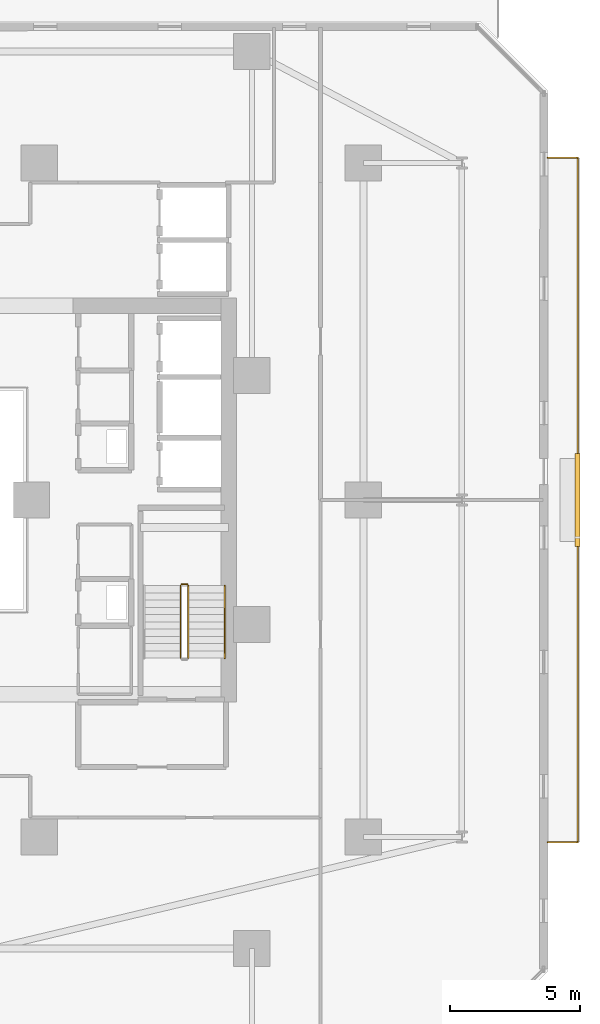
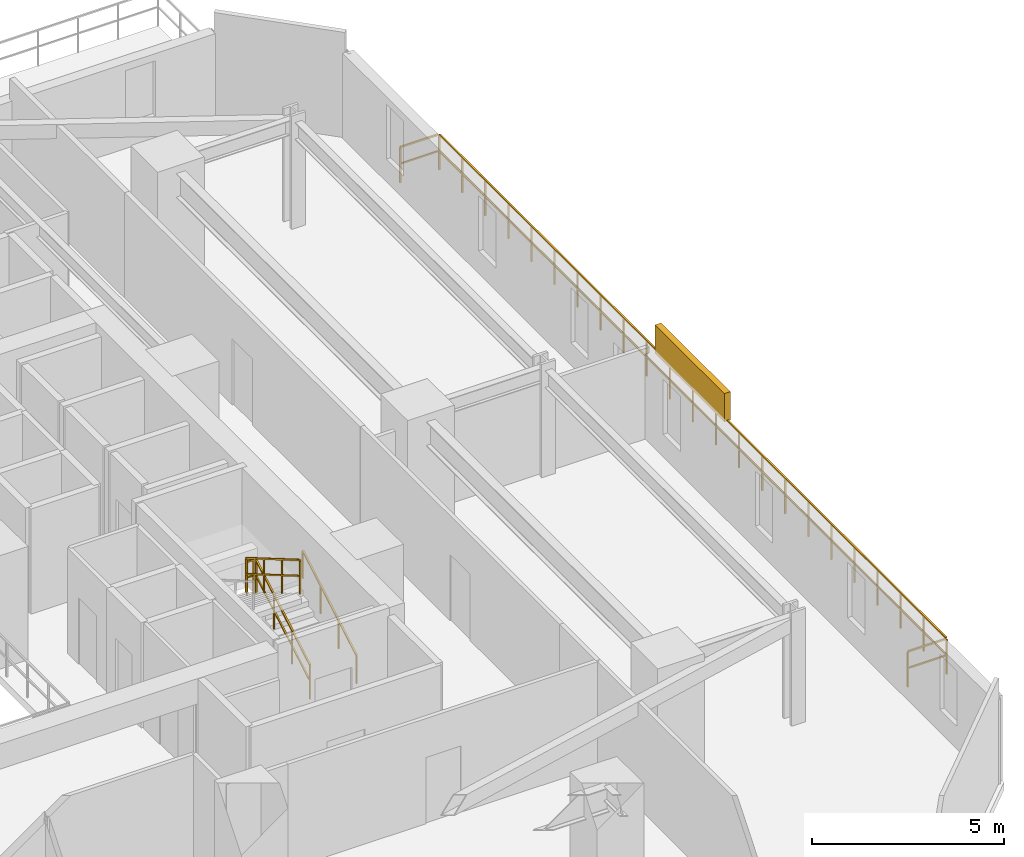
# One storey, part 33 of 34: 5 railings, 1 shading device.
"""IFC4 building model written with IfcOpenShell, lengths in metres."""

from ifc_helpers import new_model, si_unit, direction, frame, origin, origin_2d, place, context, subcontext, project, spatial, rectangle, extrude, material, type_object, element, save


model = new_model("IFC4")

# Units and contexts
model_context = context("Model", 3, precision=1e-05, world=origin(), true_north=direction((0.0, 1.0)))
body_context = subcontext(model_context, "Body", "Model", "MODEL_VIEW")
ifc_project = project(units=[si_unit("LENGTHUNIT", "METRE"), si_unit("AREAUNIT", "SQUARE_METRE"), si_unit("VOLUMEUNIT", "CUBIC_METRE"), si_unit("PLANEANGLEUNIT", "RADIAN"), si_unit("MASSUNIT", "GRAM", prefix="KILO")], contexts=[model_context])

# Site, building, storey
site_placement = place(None, origin())
site = spatial("IfcSite", under=ifc_project, at=site_placement, CompositionType="ELEMENT")
building_placement = place(site_placement, origin())
building = spatial("IfcBuilding", under=site, at=building_placement, Name="Thornwick Lancets Civic Towers", CompositionType="ELEMENT")
storey_placement = place(building_placement, frame((0.0, 0.0, 27.89990234375)))
storey = spatial("IfcBuildingStorey", under=building, at=storey_placement, Name="L06", CompositionType="ELEMENT", Elevation=27.89990234375)

# Railings
ifc_material_1 = material(Name="Brushed stainless steel S355", Category="steel")
railing_type_1 = type_object("IfcRailingType", Name="RAIL_HANDRAIL", PredefinedType="HANDRAIL", material=ifc_material_1)
railing_1_placement = place(storey_placement, frame((100.449951171875, 20.89990234375, 0.163818359375)))
element("IfcRailing", 1, at=railing_1_placement, inside=storey, type_object=railing_type_1, Name="L06 ST-B1 stair handrail 1", PredefinedType="HANDRAIL", context=body_context, shape_type="SweptSolid", body=[
    extrude(rectangle(XDim=0.048095703125, YDim=0.048095703125, at=origin_2d()), frame((0.0, 0.0, 0.8857421875), z_axis=(0.0, 0.863393664356, 0.504530851732), x_axis=(-1.0, 0.0, 0.0)), (0.0, 0.0, 1.0), 3.2431640625),
    extrude(rectangle(XDim=0.0419921875, YDim=0.0419921875, at=origin_2d()), origin(), (0.0, 0.0, 1.0), 0.855712890625),
    extrude(rectangle(XDim=0.0419921875, YDim=0.0419921875, at=origin_2d()), frame((0.0, 0.933349609375, 0.54541015625)), (0.0, 0.0, 1.0), 0.855712890625),
    extrude(rectangle(XDim=0.0419921875, YDim=0.0419921875, at=origin_2d()), frame((0.0, 1.86669921875, 1.0908203125)), (0.0, 0.0, 1.0), 0.855712890625),
    extrude(rectangle(XDim=0.0419921875, YDim=0.0419921875, at=origin_2d()), frame((0.0, 2.800048828125, 1.63623046875)), (0.0, 0.0, 1.0), 0.855712890625),
])
ifc_material_2 = material(Name="Steel S355JR", Category="steel")
railing_type_2 = type_object("IfcRailingType", Name="RAIL_STAIR_GUARD", PredefinedType="GUARDRAIL", material=ifc_material_2)
railing_2_placement = place(storey_placement, frame((99.050048828125, 20.89990234375, 0.163818359375)))
element("IfcRailing", 2, at=railing_2_placement, inside=storey, type_object=railing_type_2, Name="L06 ST-B1 stair guard 1", PredefinedType="GUARDRAIL", context=body_context, shape_type="SweptSolid", body=[
    extrude(rectangle(XDim=0.048095703125, YDim=0.048095703125, at=origin_2d()), frame((0.0, 0.0, 1.076171875), z_axis=(0.0, 0.863393664356, 0.504530851732), x_axis=(-1.0, 0.0, 0.0)), (0.0, 0.0, 1.0), 3.2431640625),
    extrude(rectangle(XDim=0.0419921875, YDim=0.0419921875, at=origin_2d()), frame((0.0, 0.032470703125, 0.591064453125), z_axis=(0.0, 0.863393664356, 0.504530851732), x_axis=(-1.0, 0.0, 0.0)), (0.0, 0.0, 1.0), 1.006103515625),
    extrude(rectangle(XDim=0.0419921875, YDim=0.0419921875, at=origin_2d()), frame((0.0, 0.9658203125, 1.136474609375), z_axis=(0.0, 0.863393664356, 0.504530851732), x_axis=(-1.0, 0.0, 0.0)), (0.0, 0.0, 1.0), 1.006103515625),
    extrude(rectangle(XDim=0.0419921875, YDim=0.0419921875, at=origin_2d()), frame((0.0, 1.899169921875, 1.681884765625), z_axis=(0.0, 0.863393664356, 0.504530851732), x_axis=(-1.0, 0.0, 0.0)), (0.0, 0.0, 1.0), 1.006103515625),
    extrude(rectangle(XDim=0.0419921875, YDim=0.0419921875, at=origin_2d()), origin(), (0.0, 0.0, 1.0), 1.0458984375),
    extrude(rectangle(XDim=0.0419921875, YDim=0.0419921875, at=origin_2d()), frame((0.0, 0.933349609375, 0.54541015625)), (0.0, 0.0, 1.0), 1.0458984375),
    extrude(rectangle(XDim=0.0419921875, YDim=0.0419921875, at=origin_2d()), frame((0.0, 1.86669921875, 1.0908203125)), (0.0, 0.0, 1.0), 1.0458984375),
    extrude(rectangle(XDim=0.0419921875, YDim=0.0419921875, at=origin_2d()), frame((0.0, 2.800048828125, 1.63623046875)), (0.0, 0.0, 1.0), 1.0458984375),
])
railing_3_placement = place(storey_placement, frame((99.0, 23.75, 1.800048828125)))
element("IfcRailing", 3, at=railing_3_placement, inside=storey, type_object=railing_type_2, Name="L06 ST-B1 stair guard 2", PredefinedType="GUARDRAIL", context=body_context, shape_type="SweptSolid", body=[
    extrude(rectangle(XDim=0.048095703125, YDim=0.048095703125, at=origin_2d()), frame((0.0, 0.0, 1.076171875), z_axis=(-1.0, 0.0, 0.0), x_axis=(0.0, -1.0, 0.0)), (0.0, 0.0, 1.0), 0.199951171875),
    extrude(rectangle(XDim=0.0419921875, YDim=0.0419921875, at=origin_2d()), frame((-0.03759765625, 0.0, 0.572021484375), z_axis=(-1.0, 0.0, 0.0), x_axis=(0.0, -1.0, 0.0)), (0.0, 0.0, 1.0), 0.125),
    extrude(rectangle(XDim=0.0419921875, YDim=0.0419921875, at=origin_2d()), origin(), (0.0, 0.0, 1.0), 1.0458984375),
    extrude(rectangle(XDim=0.0419921875, YDim=0.0419921875, at=origin_2d()), frame((-0.199951171875, 0.0, 0.0)), (0.0, 0.0, 1.0), 1.0458984375),
])
railing_4_placement = place(storey_placement, frame((98.75, 23.699951171875, 1.963623046875)))
element("IfcRailing", 4, at=railing_4_placement, inside=storey, type_object=railing_type_2, Name="L06 ST-B1 stair guard 3", PredefinedType="GUARDRAIL", context=body_context, shape_type="SweptSolid", body=[
    extrude(rectangle(XDim=0.048095703125, YDim=0.048095703125, at=origin_2d()), frame((0.0, 0.0, 1.076171875), z_axis=(0.0, -0.863360870873, 0.504586966384), x_axis=(1.0, 0.0, 0.0)), (0.0, 0.0, 1.0), 3.2431640625),
    extrude(rectangle(XDim=0.0419921875, YDim=0.0419921875, at=origin_2d()), frame((0.0, -0.032470703125, 0.591064453125), z_axis=(0.0, -0.863360870873, 0.504586966384), x_axis=(1.0, 0.0, 0.0)), (0.0, 0.0, 1.0), 1.006103515625),
    extrude(rectangle(XDim=0.0419921875, YDim=0.0419921875, at=origin_2d()), frame((0.0, -0.9658203125, 1.136474609375), z_axis=(0.0, -0.863360870873, 0.504586966384), x_axis=(1.0, 0.0, 0.0)), (0.0, 0.0, 1.0), 1.006103515625),
    extrude(rectangle(XDim=0.0419921875, YDim=0.0419921875, at=origin_2d()), frame((0.0, -1.899169921875, 1.681884765625), z_axis=(0.0, -0.863360870873, 0.504586966384), x_axis=(1.0, 0.0, 0.0)), (0.0, 0.0, 1.0), 1.006103515625),
    extrude(rectangle(XDim=0.0419921875, YDim=0.0419921875, at=origin_2d()), origin(), (0.0, 0.0, 1.0), 1.0458984375),
    extrude(rectangle(XDim=0.0419921875, YDim=0.0419921875, at=origin_2d()), frame((0.0, -0.933349609375, 0.54541015625)), (0.0, 0.0, 1.0), 1.0458984375),
    extrude(rectangle(XDim=0.0419921875, YDim=0.0419921875, at=origin_2d()), frame((0.0, -1.86669921875, 1.091064453125)), (0.0, 0.0, 1.0), 1.0458984375),
    extrude(rectangle(XDim=0.0419921875, YDim=0.0419921875, at=origin_2d()), frame((0.0, -2.800048828125, 1.636474609375)), (0.0, 0.0, 1.0), 1.0458984375),
])
ifc_material_3 = material(Name="Terracotta-capped laminated glass balustrade S355", Category="masonry")
railing_type_3 = type_object("IfcRailingType", Name="RAIL_TERR_GUARD", PredefinedType="GUARDRAIL", material=ifc_material_3)
railing_5_placement = place(storey_placement, frame((112.89990234375, 13.800048828125, 0.0)))
element("IfcRailing", 5, at=railing_5_placement, inside=storey, type_object=railing_type_3, Name="L06 Tower B Balcony Guard E", PredefinedType="GUARDRAIL", context=body_context, shape_type="SweptSolid", body=[
    extrude(rectangle(XDim=0.048095703125, YDim=0.048095703125, at=origin_2d()), frame((0.0, 0.0, 1.1259765625), z_axis=(1.0, 0.0, 0.0), x_axis=(0.0, 1.0, 0.0)), (0.0, 0.0, 1.0), 1.138916015625),
    extrude(rectangle(XDim=0.0419921875, YDim=0.0419921875, at=origin_2d()), frame((0.03759765625, 0.0, 0.597900390625), z_axis=(1.0, 0.0, 0.0), x_axis=(0.0, 1.0, 0.0)), (0.0, 0.0, 1.0), 1.09521484375),
    extrude(rectangle(XDim=0.048095703125, YDim=0.048095703125, at=origin_2d()), frame((1.170166015625, 0.03125, 1.1259765625), z_axis=(0.0, 1.0, 0.0), x_axis=(-1.0, 0.0, 0.0)), (0.0, 0.0, 1.0), 26.33740234375),
    extrude(rectangle(XDim=0.0419921875, YDim=0.0419921875, at=origin_2d()), frame((1.170166015625, 0.03759765625, 0.597900390625), z_axis=(0.0, 1.0, 0.0), x_axis=(-1.0, 0.0, 0.0)), (0.0, 0.0, 1.0), 1.125),
    extrude(rectangle(XDim=0.0419921875, YDim=0.0419921875, at=origin_2d()), frame((1.170166015625, 1.237548828125, 0.597900390625), z_axis=(0.0, 1.0, 0.0), x_axis=(-1.0, 0.0, 0.0)), (0.0, 0.0, 1.0), 1.125),
    extrude(rectangle(XDim=0.0419921875, YDim=0.0419921875, at=origin_2d()), frame((1.170166015625, 2.4375, 0.597900390625), z_axis=(0.0, 1.0, 0.0), x_axis=(-1.0, 0.0, 0.0)), (0.0, 0.0, 1.0), 1.125),
    extrude(rectangle(XDim=0.0419921875, YDim=0.0419921875, at=origin_2d()), frame((1.170166015625, 3.637451171875, 0.597900390625), z_axis=(0.0, 1.0, 0.0), x_axis=(-1.0, 0.0, 0.0)), (0.0, 0.0, 1.0), 1.125),
    extrude(rectangle(XDim=0.0419921875, YDim=0.0419921875, at=origin_2d()), frame((1.170166015625, 4.83740234375, 0.597900390625), z_axis=(0.0, 1.0, 0.0), x_axis=(-1.0, 0.0, 0.0)), (0.0, 0.0, 1.0), 1.125),
    extrude(rectangle(XDim=0.0419921875, YDim=0.0419921875, at=origin_2d()), frame((1.170166015625, 6.037353515625, 0.597900390625), z_axis=(0.0, 1.0, 0.0), x_axis=(-1.0, 0.0, 0.0)), (0.0, 0.0, 1.0), 1.125),
    extrude(rectangle(XDim=0.0419921875, YDim=0.0419921875, at=origin_2d()), frame((1.170166015625, 7.237548828125, 0.597900390625), z_axis=(0.0, 1.0, 0.0), x_axis=(-1.0, 0.0, 0.0)), (0.0, 0.0, 1.0), 1.125),
    extrude(rectangle(XDim=0.0419921875, YDim=0.0419921875, at=origin_2d()), frame((1.170166015625, 8.4375, 0.597900390625), z_axis=(0.0, 1.0, 0.0), x_axis=(-1.0, 0.0, 0.0)), (0.0, 0.0, 1.0), 1.125),
    extrude(rectangle(XDim=0.0419921875, YDim=0.0419921875, at=origin_2d()), frame((1.170166015625, 9.637451171875, 0.597900390625), z_axis=(0.0, 1.0, 0.0), x_axis=(-1.0, 0.0, 0.0)), (0.0, 0.0, 1.0), 1.125),
    extrude(rectangle(XDim=0.0419921875, YDim=0.0419921875, at=origin_2d()), frame((1.170166015625, 10.83740234375, 0.597900390625), z_axis=(0.0, 1.0, 0.0), x_axis=(-1.0, 0.0, 0.0)), (0.0, 0.0, 1.0), 1.125),
    extrude(rectangle(XDim=0.0419921875, YDim=0.0419921875, at=origin_2d()), frame((1.170166015625, 12.037353515625, 0.597900390625), z_axis=(0.0, 1.0, 0.0), x_axis=(-1.0, 0.0, 0.0)), (0.0, 0.0, 1.0), 1.125),
    extrude(rectangle(XDim=0.0419921875, YDim=0.0419921875, at=origin_2d()), frame((1.170166015625, 13.237548828125, 0.597900390625), z_axis=(0.0, 1.0, 0.0), x_axis=(-1.0, 0.0, 0.0)), (0.0, 0.0, 1.0), 1.125),
    extrude(rectangle(XDim=0.0419921875, YDim=0.0419921875, at=origin_2d()), frame((1.170166015625, 14.4375, 0.597900390625), z_axis=(0.0, 1.0, 0.0), x_axis=(-1.0, 0.0, 0.0)), (0.0, 0.0, 1.0), 1.125),
    extrude(rectangle(XDim=0.0419921875, YDim=0.0419921875, at=origin_2d()), frame((1.170166015625, 15.637451171875, 0.597900390625), z_axis=(0.0, 1.0, 0.0), x_axis=(-1.0, 0.0, 0.0)), (0.0, 0.0, 1.0), 1.125),
    extrude(rectangle(XDim=0.0419921875, YDim=0.0419921875, at=origin_2d()), frame((1.170166015625, 16.83740234375, 0.597900390625), z_axis=(0.0, 1.0, 0.0), x_axis=(-1.0, 0.0, 0.0)), (0.0, 0.0, 1.0), 1.125),
    extrude(rectangle(XDim=0.0419921875, YDim=0.0419921875, at=origin_2d()), frame((1.170166015625, 18.037353515625, 0.597900390625), z_axis=(0.0, 1.0, 0.0), x_axis=(-1.0, 0.0, 0.0)), (0.0, 0.0, 1.0), 1.125),
    extrude(rectangle(XDim=0.0419921875, YDim=0.0419921875, at=origin_2d()), frame((1.170166015625, 19.2373046875, 0.597900390625), z_axis=(0.0, 1.0, 0.0), x_axis=(-1.0, 0.0, 0.0)), (0.0, 0.0, 1.0), 1.125),
    extrude(rectangle(XDim=0.0419921875, YDim=0.0419921875, at=origin_2d()), frame((1.170166015625, 20.4375, 0.597900390625), z_axis=(0.0, 1.0, 0.0), x_axis=(-1.0, 0.0, 0.0)), (0.0, 0.0, 1.0), 1.125),
    extrude(rectangle(XDim=0.0419921875, YDim=0.0419921875, at=origin_2d()), frame((1.170166015625, 21.637451171875, 0.597900390625), z_axis=(0.0, 1.0, 0.0), x_axis=(-1.0, 0.0, 0.0)), (0.0, 0.0, 1.0), 1.125),
    extrude(rectangle(XDim=0.0419921875, YDim=0.0419921875, at=origin_2d()), frame((1.170166015625, 22.83740234375, 0.597900390625), z_axis=(0.0, 1.0, 0.0), x_axis=(-1.0, 0.0, 0.0)), (0.0, 0.0, 1.0), 1.125),
    extrude(rectangle(XDim=0.0419921875, YDim=0.0419921875, at=origin_2d()), frame((1.170166015625, 24.037353515625, 0.597900390625), z_axis=(0.0, 1.0, 0.0), x_axis=(-1.0, 0.0, 0.0)), (0.0, 0.0, 1.0), 1.125),
    extrude(rectangle(XDim=0.0419921875, YDim=0.0419921875, at=origin_2d()), frame((1.170166015625, 25.2373046875, 0.597900390625), z_axis=(0.0, 1.0, 0.0), x_axis=(-1.0, 0.0, 0.0)), (0.0, 0.0, 1.0), 1.125),
    extrude(rectangle(XDim=0.048095703125, YDim=0.048095703125, at=origin_2d()), frame((1.138916015625, 26.39990234375, 1.1259765625), z_axis=(-1.0, 0.0, 0.0), x_axis=(0.0, -1.0, 0.0)), (0.0, 0.0, 1.0), 1.138916015625),
    extrude(rectangle(XDim=0.0419921875, YDim=0.0419921875, at=origin_2d()), frame((1.132568359375, 26.39990234375, 0.597900390625), z_axis=(-1.0, 0.0, 0.0), x_axis=(0.0, -1.0, 0.0)), (0.0, 0.0, 1.0), 1.09521484375),
    extrude(rectangle(XDim=0.0419921875, YDim=0.0419921875, at=origin_2d()), origin(), (0.0, 0.0, 1.0), 1.095703125),
    extrude(rectangle(XDim=0.0419921875, YDim=0.0419921875, at=origin_2d()), frame((1.170166015625, 0.0, 0.0)), (0.0, 0.0, 1.0), 1.095703125),
    extrude(rectangle(XDim=0.0419921875, YDim=0.0419921875, at=origin_2d()), frame((1.170166015625, 1.199951171875, 0.0)), (0.0, 0.0, 1.0), 1.095703125),
    extrude(rectangle(XDim=0.0419921875, YDim=0.0419921875, at=origin_2d()), frame((1.170166015625, 2.39990234375, 0.0)), (0.0, 0.0, 1.0), 1.095703125),
    extrude(rectangle(XDim=0.0419921875, YDim=0.0419921875, at=origin_2d()), frame((1.170166015625, 3.60009765625, 0.0)), (0.0, 0.0, 1.0), 1.095703125),
    extrude(rectangle(XDim=0.0419921875, YDim=0.0419921875, at=origin_2d()), frame((1.170166015625, 4.800048828125, 0.0)), (0.0, 0.0, 1.0), 1.095703125),
    extrude(rectangle(XDim=0.0419921875, YDim=0.0419921875, at=origin_2d()), frame((1.170166015625, 6.0, 0.0)), (0.0, 0.0, 1.0), 1.095703125),
    extrude(rectangle(XDim=0.0419921875, YDim=0.0419921875, at=origin_2d()), frame((1.170166015625, 7.199951171875, 0.0)), (0.0, 0.0, 1.0), 1.095703125),
    extrude(rectangle(XDim=0.0419921875, YDim=0.0419921875, at=origin_2d()), frame((1.170166015625, 8.39990234375, 0.0)), (0.0, 0.0, 1.0), 1.095703125),
    extrude(rectangle(XDim=0.0419921875, YDim=0.0419921875, at=origin_2d()), frame((1.170166015625, 9.599853515625, 0.0)), (0.0, 0.0, 1.0), 1.095703125),
    extrude(rectangle(XDim=0.0419921875, YDim=0.0419921875, at=origin_2d()), frame((1.170166015625, 10.800048828125, 0.0)), (0.0, 0.0, 1.0), 1.095703125),
    extrude(rectangle(XDim=0.0419921875, YDim=0.0419921875, at=origin_2d()), frame((1.170166015625, 12.0, 0.0)), (0.0, 0.0, 1.0), 1.095703125),
    extrude(rectangle(XDim=0.0419921875, YDim=0.0419921875, at=origin_2d()), frame((1.170166015625, 13.199951171875, 0.0)), (0.0, 0.0, 1.0), 1.095703125),
    extrude(rectangle(XDim=0.0419921875, YDim=0.0419921875, at=origin_2d()), frame((1.170166015625, 14.39990234375, 0.0)), (0.0, 0.0, 1.0), 1.095703125),
    extrude(rectangle(XDim=0.0419921875, YDim=0.0419921875, at=origin_2d()), frame((1.170166015625, 15.599853515625, 0.0)), (0.0, 0.0, 1.0), 1.095703125),
    extrude(rectangle(XDim=0.0419921875, YDim=0.0419921875, at=origin_2d()), frame((1.170166015625, 16.800048828125, 0.0)), (0.0, 0.0, 1.0), 1.095703125),
    extrude(rectangle(XDim=0.0419921875, YDim=0.0419921875, at=origin_2d()), frame((1.170166015625, 18.0, 0.0)), (0.0, 0.0, 1.0), 1.095703125),
    extrude(rectangle(XDim=0.0419921875, YDim=0.0419921875, at=origin_2d()), frame((1.170166015625, 19.199951171875, 0.0)), (0.0, 0.0, 1.0), 1.095703125),
    extrude(rectangle(XDim=0.0419921875, YDim=0.0419921875, at=origin_2d()), frame((1.170166015625, 20.39990234375, 0.0)), (0.0, 0.0, 1.0), 1.095703125),
    extrude(rectangle(XDim=0.0419921875, YDim=0.0419921875, at=origin_2d()), frame((1.170166015625, 21.599853515625, 0.0)), (0.0, 0.0, 1.0), 1.095703125),
    extrude(rectangle(XDim=0.0419921875, YDim=0.0419921875, at=origin_2d()), frame((1.170166015625, 22.7998046875, 0.0)), (0.0, 0.0, 1.0), 1.095703125),
    extrude(rectangle(XDim=0.0419921875, YDim=0.0419921875, at=origin_2d()), frame((1.170166015625, 24.0, 0.0)), (0.0, 0.0, 1.0), 1.095703125),
    extrude(rectangle(XDim=0.0419921875, YDim=0.0419921875, at=origin_2d()), frame((1.170166015625, 25.199951171875, 0.0)), (0.0, 0.0, 1.0), 1.095703125),
    extrude(rectangle(XDim=0.0419921875, YDim=0.0419921875, at=origin_2d()), frame((1.170166015625, 26.39990234375, 0.0)), (0.0, 0.0, 1.0), 1.095703125),
    extrude(rectangle(XDim=0.0419921875, YDim=0.0419921875, at=origin_2d()), frame((0.0, 26.39990234375, 0.0)), (0.0, 0.0, 1.0), 1.095703125),
])

# Shading device
ifc_material_4 = material(Name="Extruded terracotta baguette solar screen", Category="masonry")
shading_device_type = type_object("IfcShadingDeviceType", Name="SHADE_BAGUETTE", PredefinedType="JALOUSIE", material=ifc_material_4)
shading_device_placement = place(storey_placement, frame((114.06005859375, 27.0, 1.1201171875), z_axis=(0.0, 0.0, 1.0), x_axis=(0.0, 1.0, 0.0)))
element("IfcShadingDevice", 6, at=shading_device_placement, inside=storey, type_object=shading_device_type, Name="L06 Tower B Terracotta Baguette Screen E", PredefinedType="JALOUSIE", context=body_context, shape_type="SweptSolid", body=[
    extrude(rectangle(XDim=3.60009765625, YDim=0.179931640625, at=origin_2d()), origin(), (0.0, 0.0, 1.0), 0.89990234375),
])

save(model, "model.ifc")
